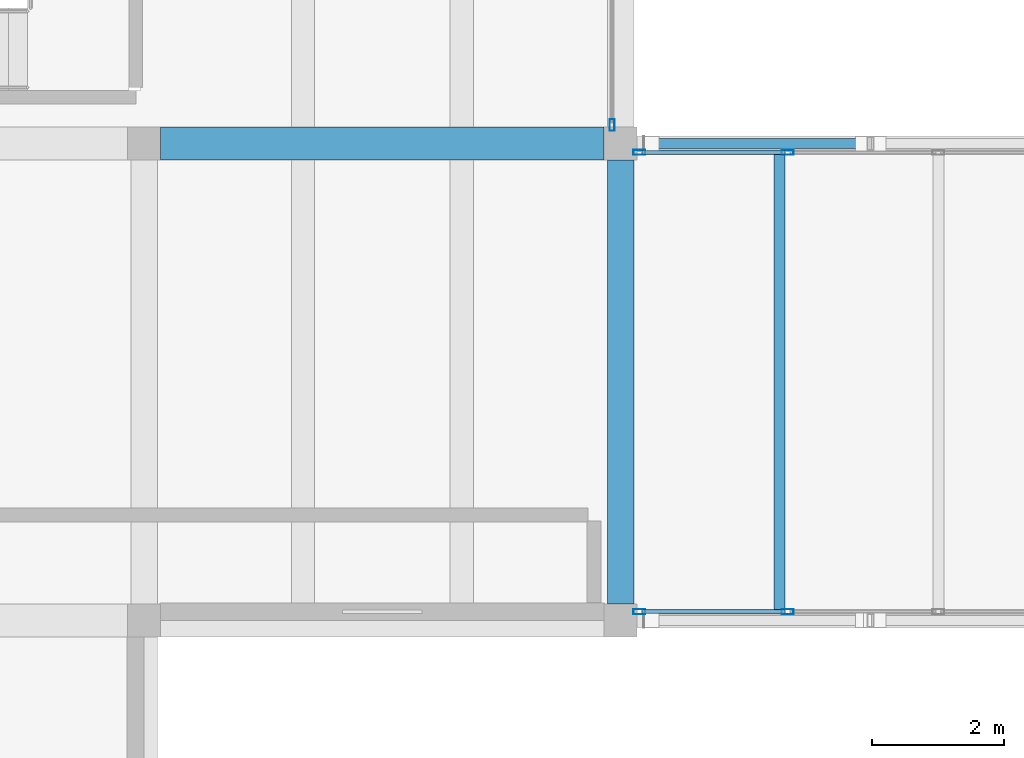
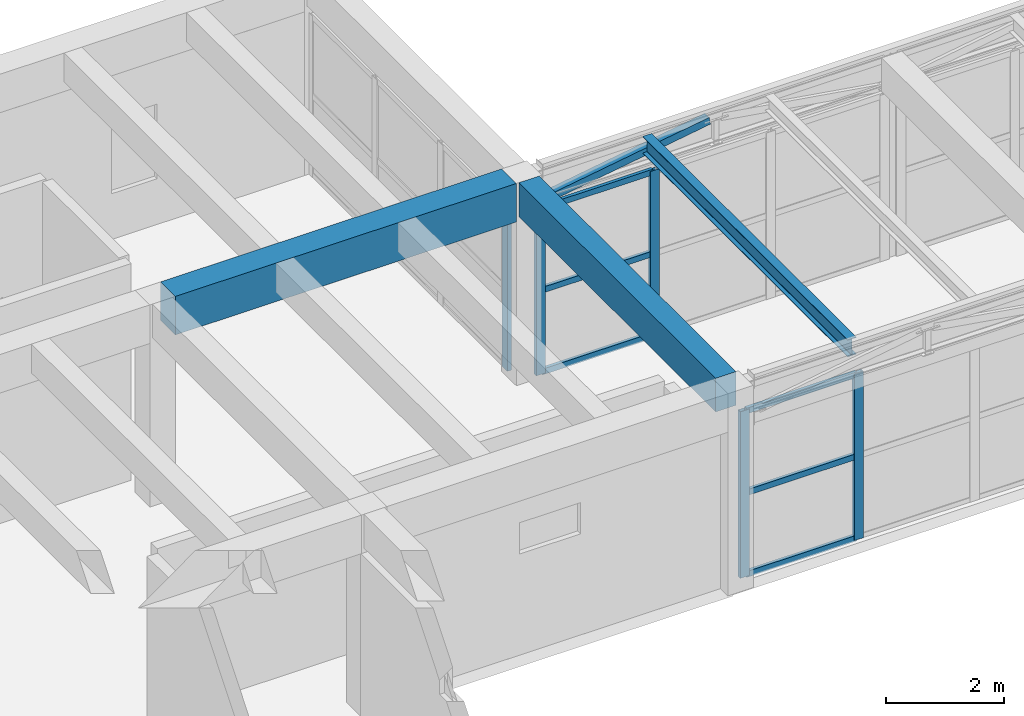
# One storey, part 18 of 153: 12 members, 3 beams, 3 elements without a shape of their own.
"""IFC4 building model written with IfcOpenShell, lengths in metres."""

from ifc_helpers import new_model, si_unit, direction, frame, origin, origin_2d, place, context, subcontext, project, spatial, rectangle, hollow_rectangle, i_section, extrude, material, material_profile, profile_set, type_object, element, aggregate, save


model = new_model("IFC4")

# Units and contexts
model_context = context("Model", 3, precision=1e-05, world=origin(), true_north=direction((0.0, 1.0)))
body_context = subcontext(model_context, "Body", "Model", "MODEL_VIEW")
ifc_project = project(units=[si_unit("LENGTHUNIT", "METRE"), si_unit("AREAUNIT", "SQUARE_METRE"), si_unit("VOLUMEUNIT", "CUBIC_METRE"), si_unit("PLANEANGLEUNIT", "RADIAN"), si_unit("MASSUNIT", "GRAM", prefix="KILO")], contexts=[model_context])

# Site, building, storey
site_placement = place(None, origin())
site = spatial("IfcSite", under=ifc_project, at=site_placement, CompositionType="ELEMENT")
building_placement = place(site_placement, origin())
building = spatial("IfcBuilding", under=site, at=building_placement, Name="Bramvelor Terrace Health Centre", CompositionType="ELEMENT")
storey_placement = place(building_placement, frame((0.0, 0.0, 4.800048828125)))
storey = spatial("IfcBuildingStorey", under=building, at=storey_placement, Name="L02", CompositionType="ELEMENT", Elevation=4.800048828125)

# Beams
ifc_material_1 = material(Name="Concrete C40/50", Category="concrete")
ifc_material_profile_1 = material_profile(ifc_material_1, rectangle(XDim=0.39990234375, YDim=0.699951171875, at=origin_2d()), Name="RC 400x700")
ifc_profile_set_1 = profile_set([ifc_material_profile_1], Name="Concrete C40/50")
beam_type_1 = type_object("IfcBeamType", Name="BM-RC-G700", PredefinedType="BEAM", material=ifc_profile_set_1)
beam_1_placement = place(storey_placement, frame((28.800048828125, 50.64990234375, 3.849853515625), z_axis=(0.0, 1.0, 0.0), x_axis=(-1.0, 0.0, 0.0)))
element("IfcBeam", 1, at=beam_1_placement, inside=storey, type_object=beam_type_1, Name="L02 Floor Girder", PredefinedType="BEAM", context=body_context, shape_type="SweptSolid", body=[
    extrude(rectangle(XDim=0.39990234375, YDim=0.699951171875, at=origin_2d()), origin(), (0.0, 0.0, 1.0), 6.7001953125),
])
ifc_material_2 = material(Name="Concrete C40/50", Category="concrete")
ifc_material_profile_2 = material_profile(ifc_material_2, rectangle(XDim=0.5, YDim=0.800048828125, at=origin_2d()), Name="RC 500x800")
ifc_profile_set_2 = profile_set([ifc_material_profile_2], Name="Concrete C40/50")
beam_type_2 = type_object("IfcBeamType", Name="BM-RC-G800", PredefinedType="BEAM", material=ifc_profile_set_2)
beam_2_placement = place(storey_placement, frame((21.85009765625, 57.60009765625, 3.800048828125), z_axis=(1.0, 0.0, 0.0), x_axis=(0.0, 1.0, 0.0)))
element("IfcBeam", 2, at=beam_2_placement, inside=storey, type_object=beam_type_2, Name="L02 Floor Girder", PredefinedType="BEAM", context=body_context, shape_type="SweptSolid", body=[
    extrude(rectangle(XDim=0.5, YDim=0.800048828125, at=origin_2d()), origin(), (0.0, 0.0, 1.0), 6.699951171875),
])
ifc_material_3 = material(Name="Steel S355J2", Category="steel")
ifc_material_profile_3 = material_profile(ifc_material_3, i_section(OverallWidth=0.17138671875, OverallDepth=0.35498046875, WebThickness=0.00732421875, FlangeThickness=0.011474609375, FilletRadius=0.01025390625, at=origin_2d()), Name="UB 356x171x51")
ifc_profile_set_3 = profile_set([ifc_material_profile_3], Name="Steel S355J2")
beam_type_3 = type_object("IfcBeamType", Name="BM-STL-UB356", PredefinedType="JOIST", material=ifc_profile_set_3)
beam_3_placement = place(storey_placement, frame((31.199951171875, 50.514404296875, 4.0224609375), z_axis=(0.0, 1.0, 0.0), x_axis=(-1.0, 0.0, 0.0)))
element("IfcBeam", 3, at=beam_3_placement, inside=storey, type_object=beam_type_3, Name="L02 Secondary Floor Joist", PredefinedType="JOIST", context=body_context, shape_type="SweptSolid", body=[
    extrude(i_section(OverallWidth=0.17138671875, OverallDepth=0.35498046875, WebThickness=0.00732421875, FlangeThickness=0.011474609375, FilletRadius=0.01025390625, at=origin_2d()), origin(), (0.0, 0.0, 1.0), 6.97119140625),
])

# Curtain wall, members
ifc_material_4 = material(Name="Anodized aluminium and double low-E glass", Category="aluminium")
curtain_wall_type_1 = type_object("IfcCurtainWallType", Name="CW-SYS-01", PredefinedType="NOTDEFINED", material=ifc_material_4)
curtain_wall_1_placement = place(storey_placement, origin())
curtain_wall_1 = element("IfcCurtainWall", 4, at=curtain_wall_1_placement, inside=storey, type_object=curtain_wall_type_1, Name="L02 Unitized Curtain Wall 124", PredefinedType="NOTDEFINED")
ifc_material_5 = material(Name="Anodized aluminium 6063-T6", Category="aluminium")
ifc_material_profile_4 = material_profile(ifc_material_5, hollow_rectangle(XDim=0.074951171875, YDim=0.179931640625, WallThickness=0.00341796875, at=origin_2d()), Name="ALU-MUL 75x180x3.5")
ifc_profile_set_4 = profile_set([ifc_material_profile_4], Name="Anodized aluminium 6063-T6")
member_type_1 = type_object("IfcMemberType", Name="CW-MUL-65x180", PredefinedType="MULLION", material=ifc_profile_set_4)
member_1_placement = place(storey_placement, frame((31.322265625, 50.530029296875, 0.0), z_axis=(0.0, 0.0, 1.0), x_axis=(0.0, -1.0, 0.0)))
member_1 = element("IfcMember", 5, at=member_1_placement, type_object=member_type_1, Name="CW-01 mullion 3", PredefinedType="MULLION", context=body_context, shape_type="SweptSolid", body=[
    extrude(hollow_rectangle(XDim=0.074951171875, YDim=0.179931640625, WallThickness=0.00341796875, at=origin_2d()), origin(), (0.0, 0.0, 1.0), 3.4599609375),
])
member_2_placement = place(storey_placement, frame((29.08251953125, 50.530029296875, 0.0), z_axis=(0.0, 0.0, 1.0), x_axis=(0.0, -1.0, 0.0)))
member_2 = element("IfcMember", 6, at=member_2_placement, type_object=member_type_1, Name="CW-01 mullion 4", PredefinedType="MULLION", context=body_context, shape_type="SweptSolid", body=[
    extrude(hollow_rectangle(XDim=0.074951171875, YDim=0.179931640625, WallThickness=0.00341796875, at=origin_2d()), origin(), (0.0, 0.0, 1.0), 3.4599609375),
])

# Curtain wall, member
ifc_material_6 = material(Name="Anodized aluminium and double low-E glass", Category="aluminium")
curtain_wall_type_2 = type_object("IfcCurtainWallType", Name="CW-SYS-16", PredefinedType="NOTDEFINED", material=ifc_material_6)
curtain_wall_2_placement = place(storey_placement, origin())
curtain_wall_2 = element("IfcCurtainWall", 7, at=curtain_wall_2_placement, inside=storey, type_object=curtain_wall_type_2, Name="L02 Unitized Curtain Wall 130", PredefinedType="NOTDEFINED")
member_3_placement = place(storey_placement, frame((28.669921875, 57.882568359375, 0.0), z_axis=(0.0, 0.0, 1.0), x_axis=(1.0, 0.0, 0.0)))
member_3 = element("IfcMember", 8, at=member_3_placement, type_object=member_type_1, Name="CW-16 mullion 4", PredefinedType="MULLION", context=body_context, shape_type="SweptSolid", body=[
    extrude(hollow_rectangle(XDim=0.074951171875, YDim=0.179931640625, WallThickness=0.00341796875, at=origin_2d()), origin(), (0.0, 0.0, 1.0), 3.35986328125),
])
aggregate(curtain_wall_2, [member_3])

# Curtain wall, members
curtain_wall_3_placement = place(storey_placement, origin())
curtain_wall_3 = element("IfcCurtainWall", 9, at=curtain_wall_3_placement, inside=storey, type_object=curtain_wall_type_1, Name="L02 Unitized Curtain Wall 131", PredefinedType="NOTDEFINED")
member_4_placement = place(storey_placement, frame((29.08251953125, 57.469970703125, 0.0), z_axis=(0.0, 0.0, 1.0), x_axis=(0.0, 1.0, 0.0)))
member_4 = element("IfcMember", 10, at=member_4_placement, type_object=member_type_1, Name="CW-01 mullion 1", PredefinedType="MULLION", context=body_context, shape_type="SweptSolid", body=[
    extrude(hollow_rectangle(XDim=0.074951171875, YDim=0.179931640625, WallThickness=0.00341796875, at=origin_2d()), origin(), (0.0, 0.0, 1.0), 3.4599609375),
])
member_5_placement = place(storey_placement, frame((31.322265625, 57.469970703125, 0.0), z_axis=(0.0, 0.0, 1.0), x_axis=(0.0, 1.0, 0.0)))
member_5 = element("IfcMember", 11, at=member_5_placement, type_object=member_type_1, Name="CW-01 mullion 2", PredefinedType="MULLION", context=body_context, shape_type="SweptSolid", body=[
    extrude(hollow_rectangle(XDim=0.074951171875, YDim=0.179931640625, WallThickness=0.00341796875, at=origin_2d()), origin(), (0.0, 0.0, 1.0), 3.4599609375),
])

# Member
ifc_material_7 = material(Name="Anodized aluminium 6063-T6", Category="aluminium")
ifc_material_profile_5 = material_profile(ifc_material_7, hollow_rectangle(XDim=0.06494140625, YDim=0.1201171875, WallThickness=0.0029296875, at=origin_2d()), Name="ALU-TRN 65x120x3.0")
ifc_profile_set_5 = profile_set([ifc_material_profile_5], Name="Anodized aluminium 6063-T6")
member_type_2 = type_object("IfcMemberType", Name="CW-TRN-65x150", PredefinedType="USERDEFINED", material=ifc_profile_set_5)
member_6_placement = place(storey_placement, frame((31.28466796875, 50.530029296875, 0.032470703125), z_axis=(-1.0, 0.0, 0.0), x_axis=(0.0, -1.0, 0.0)))
member_6 = element("IfcMember", 12, at=member_6_placement, type_object=member_type_2, Name="CW-01 transom 3.1", ObjectType="TRANSOM", PredefinedType="USERDEFINED", context=body_context, shape_type="SweptSolid", body=[
    extrude(hollow_rectangle(XDim=0.06494140625, YDim=0.1201171875, WallThickness=0.0029296875, at=origin_2d()), origin(), (0.0, 0.0, 1.0), 2.16455078125),
])

member_7_placement = place(storey_placement, frame((31.28466796875, 50.530029296875, 1.72998046875), z_axis=(-1.0, 0.0, 0.0), x_axis=(0.0, -1.0, 0.0)))
member_7 = element("IfcMember", 13, at=member_7_placement, type_object=member_type_2, Name="CW-01 transom 3.2", ObjectType="TRANSOM", PredefinedType="USERDEFINED", context=body_context, shape_type="SweptSolid", body=[
    extrude(hollow_rectangle(XDim=0.06494140625, YDim=0.1201171875, WallThickness=0.0029296875, at=origin_2d()), origin(), (0.0, 0.0, 1.0), 2.16455078125),
])

member_8_placement = place(storey_placement, frame((31.28466796875, 50.530029296875, 3.427490234375), z_axis=(-1.0, 0.0, 0.0), x_axis=(0.0, -1.0, 0.0)))
member_8 = element("IfcMember", 14, at=member_8_placement, type_object=member_type_2, Name="CW-01 transom 3.3", ObjectType="TRANSOM", PredefinedType="USERDEFINED", context=body_context, shape_type="SweptSolid", body=[
    extrude(hollow_rectangle(XDim=0.06494140625, YDim=0.1201171875, WallThickness=0.0029296875, at=origin_2d()), origin(), (0.0, 0.0, 1.0), 2.16455078125),
])

aggregate(curtain_wall_1, [member_1, member_2, member_6, member_7, member_8])

member_9_placement = place(storey_placement, frame((29.1201171875, 57.469970703125, 0.032470703125), z_axis=(1.0, 0.0, 0.0), x_axis=(0.0, 1.0, 0.0)))
member_9 = element("IfcMember", 15, at=member_9_placement, type_object=member_type_2, Name="CW-01 transom 1.1", ObjectType="TRANSOM", PredefinedType="USERDEFINED", context=body_context, shape_type="SweptSolid", body=[
    extrude(hollow_rectangle(XDim=0.06494140625, YDim=0.1201171875, WallThickness=0.0029296875, at=origin_2d()), origin(), (0.0, 0.0, 1.0), 2.16455078125),
])

member_10_placement = place(storey_placement, frame((29.1201171875, 57.469970703125, 1.72998046875), z_axis=(1.0, 0.0, 0.0), x_axis=(0.0, 1.0, 0.0)))
member_10 = element("IfcMember", 16, at=member_10_placement, type_object=member_type_2, Name="CW-01 transom 1.2", ObjectType="TRANSOM", PredefinedType="USERDEFINED", context=body_context, shape_type="SweptSolid", body=[
    extrude(hollow_rectangle(XDim=0.06494140625, YDim=0.1201171875, WallThickness=0.0029296875, at=origin_2d()), origin(), (0.0, 0.0, 1.0), 2.16455078125),
])

member_11_placement = place(storey_placement, frame((29.1201171875, 57.469970703125, 3.427490234375), z_axis=(1.0, 0.0, 0.0), x_axis=(0.0, 1.0, 0.0)))
member_11 = element("IfcMember", 17, at=member_11_placement, type_object=member_type_2, Name="CW-01 transom 1.3", ObjectType="TRANSOM", PredefinedType="USERDEFINED", context=body_context, shape_type="SweptSolid", body=[
    extrude(hollow_rectangle(XDim=0.06494140625, YDim=0.1201171875, WallThickness=0.0029296875, at=origin_2d()), origin(), (0.0, 0.0, 1.0), 2.16455078125),
])

aggregate(curtain_wall_3, [member_4, member_5, member_9, member_10, member_11])

ifc_material_8 = material(Name="Steel S355J2", Category="steel")
ifc_material_profile_6 = material_profile(ifc_material_8, hollow_rectangle(XDim=0.14990234375, YDim=0.14990234375, WallThickness=0.00634765625, at=origin_2d()), Name="SHS 150x150x6.3")
ifc_profile_set_6 = profile_set([ifc_material_profile_6], Name="Steel S355J2")
member_type_3 = type_object("IfcMemberType", Name="MEM-STL-SHS150", PredefinedType="BRACE", material=ifc_profile_set_6)
member_12_placement = place(storey_placement, frame((29.27001953125, 57.60009765625, 3.52001953125), z_axis=(0.987421259793, 0.0, 0.158111529335), x_axis=(0.0, 1.0, 0.0)))
element("IfcMember", 18, at=member_12_placement, inside=storey, type_object=member_type_3, Name="BR1 Bridge Truss Web Diagonal 0", PredefinedType="BRACE", context=body_context, shape_type="SweptSolid", body=[
    extrude(hollow_rectangle(XDim=0.14990234375, YDim=0.14990234375, WallThickness=0.00634765625, at=origin_2d()), origin(), (0.0, 0.0, 1.0), 3.2255859375),
])

save(model, "model.ifc")
